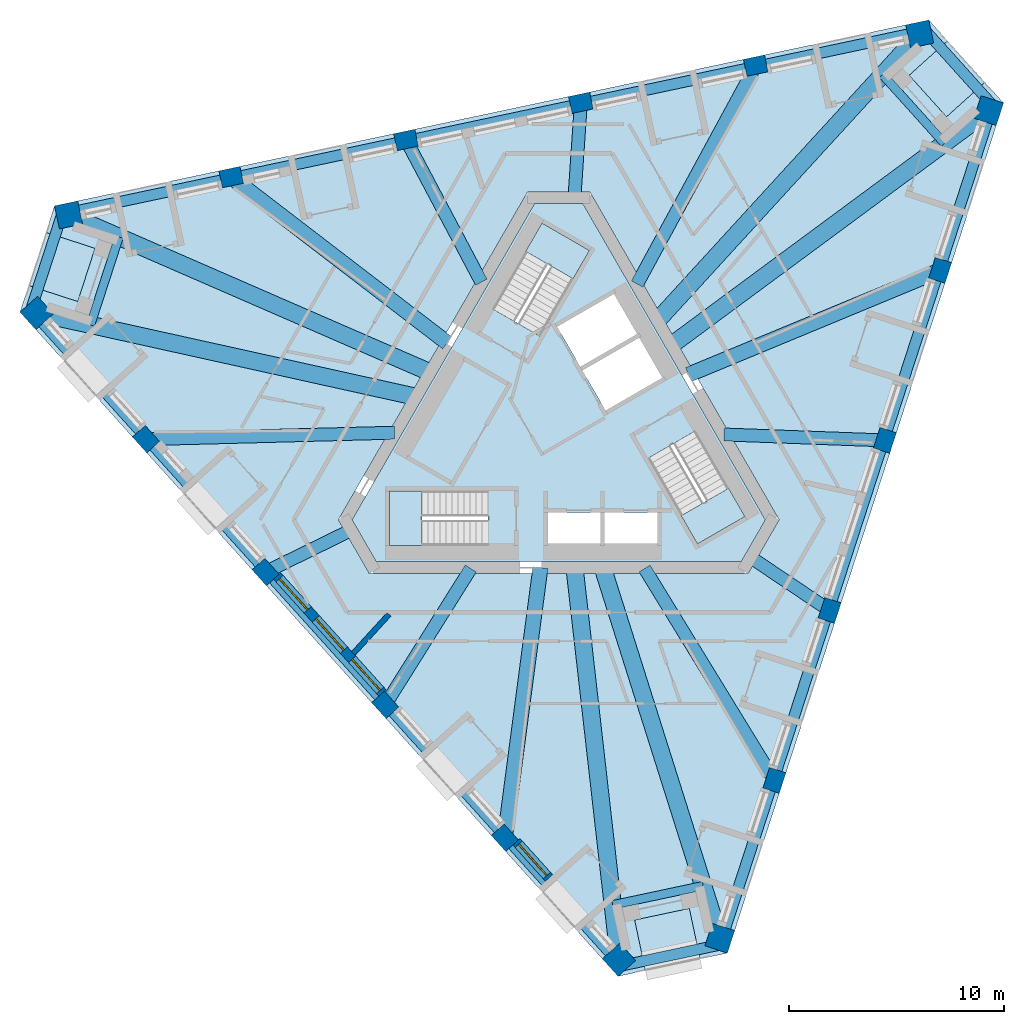
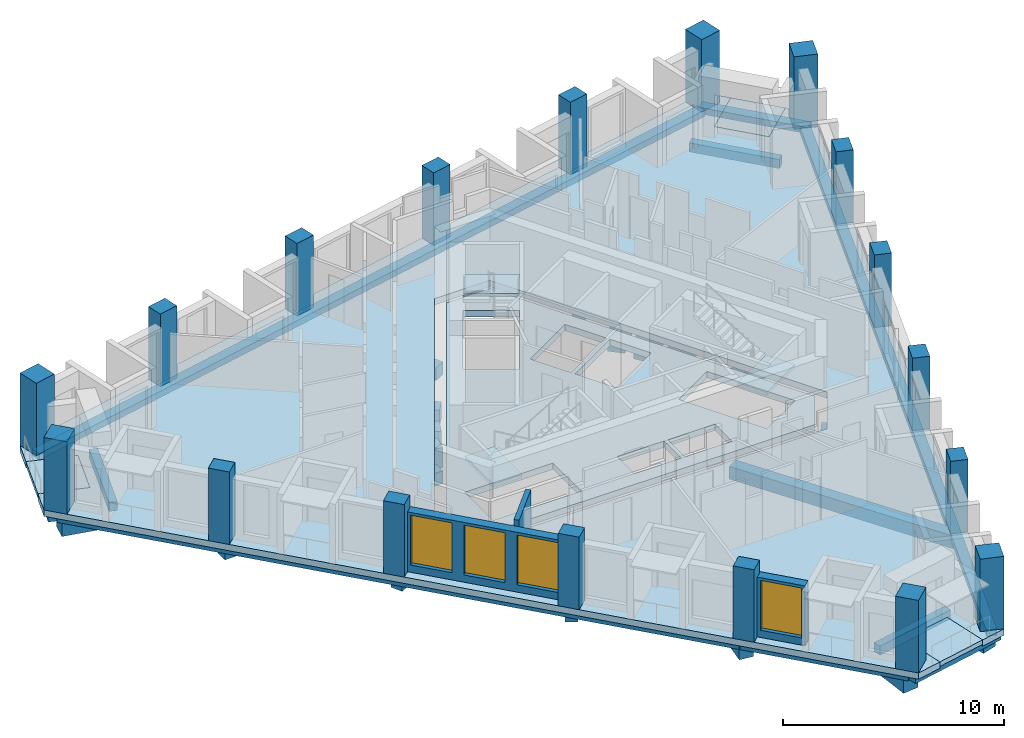
# One storey, part 1 of 13: 27 beams, 18 columns, 8 slabs, 4 windows, 3 walls, 4 openings, 3 elements without a shape of their own.
"""IFC4 building model written with IfcOpenShell, lengths in metres."""

import ifcopenshell
import ifcopenshell.guid

model = None  # the IFC model being written
_history = None  # IfcOwnerHistory: only IFC2X3 demands one
_inside = {}  # id of a spatial element -> (the spatial element, [elements in it])
_under = {}  # id of a project, library or spatial element -> (it, [spatial elements below it])
_declared = {}  # id of a project -> (the project, [libraries it declares])
_typed = {}  # id of a type object -> (the type object, [elements of that type])
_made_of = {}  # id of a material, layer set ... -> (it, [elements and type objects made of it])


def new_model(schema):
    """Start an empty IFC model of exactly this schema.

    Asked for "IFC4X3", IfcOpenShell would pick the latest addendum, in which some entities
    have other attributes; the version numbers below select the first issue.
    IFC2X3 requires an IfcOwnerHistory on every rooted entity: one is made here for all.
    """
    global model, _history
    if schema == "IFC4X3":
        model = ifcopenshell.file(schema_version=(4, 3, 0, 0))
    else:
        model = ifcopenshell.file(schema=schema)
    _inside.clear()
    _under.clear()
    _declared.clear()
    _typed.clear()
    _made_of.clear()
    _history = None
    if model.schema == "IFC2X3":
        org = make("IfcOrganization", Name="unknown")
        user = make(
            "IfcPersonAndOrganization",
            ThePerson=make("IfcPerson", FamilyName="unknown"),
            TheOrganization=org,
        )
        app = make(
            "IfcApplication",
            ApplicationDeveloper=org,
            Version="unknown",
            ApplicationFullName="unknown",
            ApplicationIdentifier="unknown",
        )
        _history = make(
            "IfcOwnerHistory",
            OwningUser=user,
            OwningApplication=app,
            ChangeAction="ADDED",
            CreationDate=0,
        )
    return model


def make(cls, **values):
    """One entity of the class cls with the attributes given. An attribute that is None is left unset."""
    return model.create_entity(
        cls, **{name: value for name, value in values.items() if value is not None}
    )


def rooted(cls, **values):
    """An entity with a GlobalId (a new one), such as an element, a storey or a relation."""
    return make(cls, GlobalId=ifcopenshell.guid.new(), OwnerHistory=_history, **values)


def si_unit(unit_type, name, prefix=None):
    """IfcSIUnit, for example si_unit("LENGTHUNIT", "METRE", prefix="MILLI")."""
    return make("IfcSIUnit", UnitType=unit_type, Prefix=prefix, Name=name)


def assignment(units):
    """IfcUnitAssignment: the units of a project."""
    return None if units is None else make("IfcUnitAssignment", Units=units)


def point(xyz):
    """IfcCartesianPoint."""
    return None if xyz is None else make("IfcCartesianPoint", Coordinates=xyz)


def direction(xyz):
    """IfcDirection."""
    return None if xyz is None else make("IfcDirection", DirectionRatios=xyz)


def frame(location, z_axis=None, x_axis=None):
    """IfcAxis2Placement3D, a coordinate frame: its origin and axes. An axis left out is left unset."""
    return make(
        "IfcAxis2Placement3D",
        Location=point(location),
        Axis=direction(z_axis),
        RefDirection=direction(x_axis),
    )


def frame_2d(location, x_axis=None):
    """IfcAxis2Placement2D, a coordinate frame in the plane: its origin and x axis."""
    return make(
        "IfcAxis2Placement2D", Location=point(location), RefDirection=direction(x_axis)
    )


def origin():
    """The frame at (0, 0, 0) with its axes left unset."""
    return frame((0.0, 0.0, 0.0))


def origin_2d():
    """The frame at (0, 0) in the plane with its x axis left unset."""
    return frame_2d((0.0, 0.0))


def place(relative_to, where):
    """IfcLocalPlacement: puts the frame where relative to a parent placement (None: the world)."""
    return make(
        "IfcLocalPlacement", PlacementRelTo=relative_to, RelativePlacement=where
    )


def context(
    kind, dimensions, precision=None, world=None, true_north=None, identifier=None
):
    """IfcGeometricRepresentationContext, for example the 3D "Model" context."""
    return make(
        "IfcGeometricRepresentationContext",
        ContextIdentifier=identifier,
        ContextType=kind,
        CoordinateSpaceDimension=dimensions,
        Precision=precision,
        WorldCoordinateSystem=world,
        TrueNorth=true_north,
    )


def subcontext(parent, identifier, kind, view, scale=None):
    """IfcGeometricRepresentationSubContext, for example "Body" below "Model"."""
    return make(
        "IfcGeometricRepresentationSubContext",
        ContextIdentifier=identifier,
        ContextType=kind,
        ParentContext=parent,
        TargetScale=scale,
        TargetView=view,
    )


def project(units=None, contexts=None):
    """IfcProject with its units and contexts."""
    return rooted(
        "IfcProject",
        Name="project",
        RepresentationContexts=contexts,
        UnitsInContext=assignment(units),
    )


def spatial(cls, under=None, at=None, **own):
    """A site, building, storey or space (cls), placed at a placement, below another one or the project."""
    s = rooted(cls, ObjectPlacement=at, **own)
    if under is not None:
        _under.setdefault(under.id(), (under, []))[1].append(s)
    return s


def polyline(points):
    """IfcPolyline through the points."""
    return make("IfcPolyline", Points=[point(p) for p in points])


def profile(cls, at=None, kind="AREA", **sizes):
    """A parametric profile (cls). Its sizes go by their IFC names, for example OverallWidth=200.0."""
    return make(cls, ProfileType=kind, Position=at, **sizes)


def rectangle(**sizes):
    """IfcRectangleProfileDef."""
    return profile("IfcRectangleProfileDef", **sizes)


def outline(outer, holes=None, kind="AREA"):
    """IfcArbitraryClosedProfileDef: a profile drawn as a closed curve; with holes, ...WithVoids."""
    if holes is None:
        return make("IfcArbitraryClosedProfileDef", ProfileType=kind, OuterCurve=outer)
    return make(
        "IfcArbitraryProfileDefWithVoids",
        ProfileType=kind,
        OuterCurve=outer,
        InnerCurves=holes,
    )


def extrude(swept, where, along, depth):
    """IfcExtrudedAreaSolid: the profile swept, set in the frame where, extruded along a direction by depth."""
    return make(
        "IfcExtrudedAreaSolid",
        SweptArea=swept,
        Position=where,
        ExtrudedDirection=direction(along),
        Depth=depth,
    )


def shape(context_of_items, identifier, shape_type, items):
    """IfcShapeRepresentation: the items that make up one representation, for example the "Body"."""
    return make(
        "IfcShapeRepresentation",
        ContextOfItems=context_of_items,
        RepresentationIdentifier=identifier,
        RepresentationType=shape_type,
        Items=items,
    )


def material(Name=None, Category=None):
    """IfcMaterial."""
    return make("IfcMaterial", Name=Name, Category=Category)


def layer(
    of_material, thickness, ventilated=None, Name=None, Category=None, Priority=None
):
    """IfcMaterialLayer: one layer of a wall or slab, of a material (None: an air gap)."""
    return make(
        "IfcMaterialLayer",
        Material=of_material,
        LayerThickness=thickness,
        IsVentilated=ventilated,
        Name=Name,
        Category=Category,
        Priority=Priority,
    )


def layer_set(layers, Name=None):
    """IfcMaterialLayerSet."""
    return make("IfcMaterialLayerSet", MaterialLayers=layers, LayerSetName=Name)


def material_profile(
    of_material, cross_section, Name=None, Category=None, Priority=None
):
    """IfcMaterialProfile: a cross section and its material."""
    return make(
        "IfcMaterialProfile",
        Name=Name,
        Material=of_material,
        Profile=cross_section,
        Priority=Priority,
        Category=Category,
    )


def profile_set(profiles, Name=None, composite=None):
    """IfcMaterialProfileSet."""
    return make(
        "IfcMaterialProfileSet",
        Name=Name,
        MaterialProfiles=profiles,
        CompositeProfile=composite,
    )


def made_of(thing, what):
    """Note that an element or type object is made of a material, layer set ...; save() writes the relation."""
    if what is not None:
        _made_of.setdefault(what.id(), (what, []))[1].append(thing)
    return thing


def type_object(cls, material=None, **own):
    """A type object (cls), such as IfcWallType, which elements share."""
    return made_of(rooted(cls, **own), material)


def element(
    cls,
    number,
    at=None,
    inside=None,
    cuts=None,
    type_object=None,
    material=None,
    context=None,
    identifier="Body",
    shape_type=None,
    held_by="IfcProductDefinitionShape",
    body=None,
    shapes=None,
    **own,
):
    """One element of the class cls, such as IfcWall. Its Tag is "e" and its number.

    at: its placement. inside: the storey or other place that contains it. cuts: it is an
    opening in that element (IfcRelVoidsElement). A single representation is given by context,
    identifier, shape_type and body (its items); several are given by shapes. held_by: the class
    of the entity that holds the representations. save() writes the other relations.
    """
    e = rooted(cls, Tag="e%d" % number, ObjectPlacement=at, **own)
    if body is not None:
        shapes = [shape(context, identifier, shape_type, body)]
    if shapes is not None:
        e.Representation = make(held_by, Representations=shapes)
    if inside is not None:
        _inside.setdefault(inside.id(), (inside, []))[1].append(e)
    if cuts is not None:
        rooted(
            "IfcRelVoidsElement", RelatingBuildingElement=cuts, RelatedOpeningElement=e
        )
    if type_object is not None:
        _typed.setdefault(type_object.id(), (type_object, []))[1].append(e)
    return made_of(e, material)


def fill(opening, filler):
    """IfcRelFillsElement: the door or window that sits in an opening."""
    return rooted(
        "IfcRelFillsElement",
        RelatingOpeningElement=opening,
        RelatedBuildingElement=filler,
    )


def aggregate(whole, parts):
    """IfcRelAggregates: a whole, such as a stair, and the parts it consists of."""
    return rooted("IfcRelAggregates", RelatingObject=whole, RelatedObjects=parts)


def save(model, path):
    """Write the relations noted so far, then the file.

    IfcRelAggregates (storeys below a building ...), IfcRelContainedInSpatialStructure (elements
    in a storey), IfcRelDefinesByType, IfcRelAssociatesMaterial and IfcRelDeclares: one each for
    every whole, place, type object, material and project.
    """
    for whole, parts in _under.values():
        aggregate(whole, parts)
    for where, things in _inside.values():
        rooted(
            "IfcRelContainedInSpatialStructure",
            RelatedElements=things,
            RelatingStructure=where,
        )
    for kind, things in _typed.values():
        rooted("IfcRelDefinesByType", RelatedObjects=things, RelatingType=kind)
    for what, things in _made_of.values():
        rooted("IfcRelAssociatesMaterial", RelatedObjects=things, RelatingMaterial=what)
    for by, libraries in _declared.values():
        rooted("IfcRelDeclares", RelatingContext=by, RelatedDefinitions=libraries)
    model.write(path)


model = new_model("IFC4")

# Units and contexts
model_context = context("Model", 3, precision=1e-05, world=origin(), true_north=direction((0.0, 1.0)))
body_context = subcontext(model_context, "Body", "Model", "MODEL_VIEW")
ifc_project = project(units=[si_unit("LENGTHUNIT", "METRE"), si_unit("AREAUNIT", "SQUARE_METRE"), si_unit("VOLUMEUNIT", "CUBIC_METRE"), si_unit("PLANEANGLEUNIT", "RADIAN"), si_unit("MASSUNIT", "GRAM", prefix="KILO")], contexts=[model_context])

# Site, building, storey
site_placement = place(None, origin())
site = spatial("IfcSite", under=ifc_project, at=site_placement, CompositionType="ELEMENT")
building_placement = place(site_placement, origin())
building = spatial("IfcBuilding", under=site, at=building_placement, Name="Tramontana Tower", CompositionType="ELEMENT")
storey_placement = place(building_placement, frame((0.0, 0.0, 324.39990234375)))
storey = spatial("IfcBuildingStorey", under=building, at=storey_placement, Name="L74", CompositionType="ELEMENT", Elevation=324.39990234375)

# Columns
ifc_material_1 = material(Name="Concrete 55 MPa", Category="concrete")
ifc_material_profile_1 = material_profile(ifc_material_1, rectangle(XDim=1.10009765625, YDim=1.10009765625, at=origin_2d()), Name="Mega column 1100X1100 55 MPa")
ifc_profile_set_1 = profile_set([ifc_material_profile_1], Name="Concrete 55 MPa")
column_type_1 = type_object("IfcColumnType", Name="Mega column 1100X1100 55 MPa", PredefinedType="COLUMN", material=ifc_profile_set_1)
for number, where, z_axis, x_axis, name in (
    (1, (-24.278076171875, 5.368408203125, 0.0), (0.0, 0.0, 1.0), (0.669130606359, -0.743144825477, 0.0), "Mega column C8K1 L74"),
    (2, (2.80126953125, -24.706298828125, 0.0), (0.0, 0.0, 1.0), (0.669130606359, -0.743144825477, 0.0), "Mega column C8K2 L74"),
    (3, (7.489990234375, -23.70947265625, 0.0), (0.0, 0.0, 1.0), (0.309016994375, 0.951056516295, 0.0), "Mega column C8K3 L74"),
    (4, (19.99560546875, 14.779052734375, 0.0), (0.0, 0.0, 1.0), (0.309016994375, 0.951056516295, 0.0), "Mega column C8K4 L74"),
    (5, (16.7880859375, 18.34130859375, 0.0), (0.0, 0.0, 1.0), (-0.978147600734, -0.207911690818, 0.0), "Mega column C8K5 L74"),
    (6, (-22.796875, 9.92724609375, 0.0), (0.0, 0.0, 1.0), (-0.978147600734, -0.207911690818, 0.0), "Mega column C8K6 L74"),
):
    element("IfcColumn", number, at=place(storey_placement, frame(where, z_axis=z_axis, x_axis=x_axis)), inside=storey, type_object=column_type_1, Name=name, PredefinedType="COLUMN", context=body_context, shape_type="SweptSolid", body=[
        extrude(rectangle(XDim=1.10009765625, YDim=1.10009765625, at=origin_2d()), origin(), (0.0, 0.0, 1.0), 4.0),
    ])
ifc_material_2 = material(Name="Concrete 55 MPa", Category="concrete")
ifc_material_profile_2 = material_profile(ifc_material_2, rectangle(XDim=1.0, YDim=0.800048828125, at=origin_2d()), Name="Pier column 1000X800 55 MPa")
ifc_profile_set_2 = profile_set([ifc_material_profile_2], Name="Concrete 55 MPa")
column_type_2 = type_object("IfcColumnType", Name="Pier column 1000X800 55 MPa", PredefinedType="COLUMN", material=ifc_profile_set_2)
for number, where, z_axis, x_axis, name in (
    (7, (-19.194580078125, -0.501708984375, 0.0), (0.0, 0.0, 1.0), (0.669130606359, -0.743144825477, 0.0), "Pier column C8F01 L74"),
    (8, (-13.63134765625, -6.68017578125, 0.0), (0.0, 0.0, 1.0), (0.669130606359, -0.743144825477, 0.0), "Pier column C8F02 L74"),
    (9, (-8.068359375, -12.8583984375, 0.0), (0.0, 0.0, 1.0), (0.669130606359, -0.743144825477, 0.0), "Pier column C8F03 L74"),
    (10, (-2.50537109375, -19.036865234375, 0.0), (0.0, 0.0, 1.0), (0.669130606359, -0.743144825477, 0.0), "Pier column C8F04 L74"),
    (11, (10.03173828125, -16.3720703125, 0.0), (0.0, 0.0, 1.0), (0.309016994375, 0.951056516295, 0.0), "Pier column C8F05 L74"),
    (12, (12.600830078125, -8.465087890625, 0.0), (0.0, 0.0, 1.0), (0.309016994375, 0.951056516295, 0.0), "Pier column C8F06 L74"),
    (13, (15.169921875, -0.55810546875, 0.0), (0.0, 0.0, 1.0), (0.309016994375, 0.951056516295, 0.0), "Pier column C8F07 L74"),
    (14, (17.739013671875, 7.348876953125, 0.0), (0.0, 0.0, 1.0), (0.309016994375, 0.951056516295, 0.0), "Pier column C8F08 L74"),
    (15, (9.162841796875, 16.873779296875, 0.0), (0.0, 0.0, 1.0), (-0.978147600734, -0.207911690818, 0.0), "Pier column C8F09 L74"),
    (16, (1.030517578125, 15.145263671875, 0.0), (0.0, 0.0, 1.0), (-0.978147600734, -0.207911690818, 0.0), "Pier column C8F10 L74"),
    (17, (-7.1015625, 13.416748046875, 0.0), (0.0, 0.0, 1.0), (-0.978147600734, -0.207911690818, 0.0), "Pier column C8F11 L74"),
    (18, (-15.233642578125, 11.688232421875, 0.0), (0.0, 0.0, 1.0), (-0.978147600734, -0.207911690818, 0.0), "Pier column C8F12 L74"),
):
    element("IfcColumn", number, at=place(storey_placement, frame(where, z_axis=z_axis, x_axis=x_axis)), inside=storey, type_object=column_type_2, Name=name, PredefinedType="COLUMN", context=body_context, shape_type="SweptSolid", body=[
        extrude(rectangle(XDim=1.0, YDim=0.800048828125, at=origin_2d()), origin(), (0.0, 0.0, 1.0), 4.0),
    ])

# Beams
ifc_material_3 = material(Name="Concrete 40 MPa", Category="concrete")
ifc_material_profile_3 = material_profile(ifc_material_3, rectangle(XDim=0.5, YDim=0.35009765625, at=origin_2d()), Name="RC EDGE BEAM 500X350 40 MPa")
ifc_profile_set_3 = profile_set([ifc_material_profile_3], Name="Concrete 40 MPa")
beam_type_1 = type_object("IfcBeamType", Name="RC EDGE BEAM 500X350 40 MPa", PredefinedType="SPANDREL", material=ifc_profile_set_3)
for number, where, z_axis, x_axis, name in (
    (19, (-24.352294921875, 5.301513671875, -0.52490234375), (0.669126699639, -0.743148343086, 0.0), (0.743148343086, 0.669126699639, 0.0), "Spandrel beam S0 L74"),
    (20, (7.5849609375, -23.740478515625, -0.52490234375), (0.309021003975, 0.951055213488, 0.0), (-0.951055213488, 0.309021003975, 0.0), "Spandrel beam S1 L74"),
):
    element("IfcBeam", number, at=place(storey_placement, frame(where, z_axis=z_axis, x_axis=x_axis)), inside=storey, type_object=beam_type_1, Name=name, PredefinedType="SPANDREL", context=body_context, shape_type="SweptSolid", body=[
        extrude(rectangle(XDim=0.5, YDim=0.35009765625, at=origin_2d()), origin(), (0.0, 0.0, 1.0), 40.46923828125),
    ])
beam_1_placement = place(storey_placement, frame((16.767333984375, 18.439208984375, -0.52490234375), z_axis=(-0.978146276815, -0.20791791927, 0.0), x_axis=(0.20791791927, -0.978146276815, 0.0)))
element("IfcBeam", 21, at=beam_1_placement, inside=storey, type_object=beam_type_1, Name="Spandrel beam S2 L74", PredefinedType="SPANDREL", context=body_context, shape_type="SweptSolid", body=[
    extrude(rectangle(XDim=0.5, YDim=0.35009765625, at=origin_2d()), origin(), (0.0, 0.0, 1.0), 40.469482421875),
])
beam_2_placement = place(storey_placement, frame((-23.02099609375, 10.2119140625, -0.52490234375), z_axis=(-0.309015953557, -0.951056854477, 0.0), x_axis=(0.951056854477, -0.309015953557, 0.0)))
element("IfcBeam", 22, at=beam_2_placement, inside=storey, type_object=beam_type_1, Name="Spandrel beam K0 L74", PredefinedType="SPANDREL", context=body_context, shape_type="SweptSolid", body=[
    extrude(rectangle(XDim=0.5, YDim=0.35009765625, at=origin_2d()), origin(), (0.0, 0.0, 1.0), 5.1962890625),
])
for number, where, z_axis, x_axis, name in (
    (23, (2.6669921875, -25.042724609375, -0.52490234375), (0.97814762463, 0.207911578393, 0.0), (-0.207911578393, 0.97814762463, 0.0), "Spandrel beam K1 L74"),
    (24, (20.354248046875, 14.8310546875, -0.52490234375), (-0.66916199362, 0.74311656306, 0.0), (-0.74311656306, -0.66916199362, 0.0), "Spandrel beam K2 L74"),
):
    element("IfcBeam", number, at=place(storey_placement, frame(where, z_axis=z_axis, x_axis=x_axis)), inside=storey, type_object=beam_type_1, Name=name, PredefinedType="SPANDREL", context=body_context, shape_type="SweptSolid", body=[
        extrude(rectangle(XDim=0.5, YDim=0.35009765625, at=origin_2d()), origin(), (0.0, 0.0, 1.0), 5.196044921875),
    ])
ifc_material_4 = material(Name="Concrete 40 MPa", Category="concrete")
ifc_material_profile_4 = material_profile(ifc_material_4, rectangle(XDim=0.60009765625, YDim=0.699951171875, at=origin_2d()), Name="RC GIRDER 600X700 40 MPa")
ifc_profile_set_4 = profile_set([ifc_material_profile_4], Name="Concrete 40 MPa")
beam_type_2 = type_object("IfcBeamType", Name="RC GIRDER 600X700 40 MPa", PredefinedType="BEAM", material=ifc_profile_set_4)
beam_3_placement = place(storey_placement, frame((-19.194580078125, -0.501708984375, -0.699951171875), z_axis=(0.999658682192, 0.026125066864, 0.0), x_axis=(-0.026125066864, 0.999658682192, 0.0)))
element("IfcBeam", 25, at=beam_3_placement, inside=storey, type_object=beam_type_2, Name="Radial girder C8F01 L74", PredefinedType="BEAM", context=body_context, shape_type="SweptSolid", body=[
    extrude(rectangle(XDim=0.60009765625, YDim=0.699951171875, at=origin_2d()), origin(), (0.0, 0.0, 1.0), 11.559814453125),
])
beam_4_placement = place(storey_placement, frame((-13.63134765625, -6.68017578125, -0.699951171875), z_axis=(0.897959158445, 0.440078799496, 0.0), x_axis=(-0.440078799496, 0.897959158445, 0.0)))
element("IfcBeam", 26, at=beam_4_placement, inside=storey, type_object=beam_type_2, Name="Radial girder C8F02 L74", PredefinedType="BEAM", context=body_context, shape_type="SweptSolid", body=[
    extrude(rectangle(XDim=0.60009765625, YDim=0.699951171875, at=origin_2d()), origin(), (0.0, 0.0, 1.0), 4.4296875),
])
beam_5_placement = place(storey_placement, frame((-8.068359375, -12.8583984375, -0.699951171875), z_axis=(0.531504835363, 0.847055257929, 0.0), x_axis=(-0.847055257929, 0.531504835363, 0.0)))
element("IfcBeam", 27, at=beam_5_placement, inside=storey, type_object=beam_type_2, Name="Radial girder C8F03 L74", PredefinedType="BEAM", context=body_context, shape_type="SweptSolid", body=[
    extrude(rectangle(XDim=0.60009765625, YDim=0.699951171875, at=origin_2d()), origin(), (0.0, 0.0, 1.0), 7.486328125),
])
beam_6_placement = place(storey_placement, frame((10.03173828125, -16.3720703125, -0.699951171875), z_axis=(-0.522458548495, 0.852664685034, 0.0), x_axis=(-0.852664685034, -0.522458548495, 0.0)))
element("IfcBeam", 28, at=beam_6_placement, inside=storey, type_object=beam_type_2, Name="Radial girder C8F05 L74", PredefinedType="BEAM", context=body_context, shape_type="SweptSolid", body=[
    extrude(rectangle(XDim=0.60009765625, YDim=0.699951171875, at=origin_2d()), origin(), (0.0, 0.0, 1.0), 11.559814453125),
])
beam_7_placement = place(storey_placement, frame((12.600830078125, -8.465087890625, -0.699951171875), z_axis=(-0.830077902204, 0.557647448011, 0.0), x_axis=(-0.557647448011, -0.830077902204, 0.0)))
element("IfcBeam", 29, at=beam_7_placement, inside=storey, type_object=beam_type_2, Name="Radial girder C8F06 L74", PredefinedType="BEAM", context=body_context, shape_type="SweptSolid", body=[
    extrude(rectangle(XDim=0.60009765625, YDim=0.699951171875, at=origin_2d()), origin(), (0.0, 0.0, 1.0), 4.4296875),
])
beam_8_placement = place(storey_placement, frame((15.169921875, -0.55810546875, -0.699951171875), z_axis=(-0.999324360611, 0.036753534393, 0.0), x_axis=(-0.036753534393, -0.999324360611, 0.0)))
element("IfcBeam", 30, at=beam_8_placement, inside=storey, type_object=beam_type_2, Name="Radial girder C8F07 L74", PredefinedType="BEAM", context=body_context, shape_type="SweptSolid", body=[
    extrude(rectangle(XDim=0.60009765625, YDim=0.699951171875, at=origin_2d()), origin(), (0.0, 0.0, 1.0), 7.486328125),
])
beam_9_placement = place(storey_placement, frame((9.16259765625, 16.873779296875, -0.699951171875), z_axis=(-0.477185075818, -0.87880282397, 0.0), x_axis=(0.87880282397, -0.477185075818, 0.0)))
element("IfcBeam", 31, at=beam_9_placement, inside=storey, type_object=beam_type_2, Name="Radial girder C8F09 L74", PredefinedType="BEAM", context=body_context, shape_type="SweptSolid", body=[
    extrude(rectangle(XDim=0.60009765625, YDim=0.699951171875, at=origin_2d()), origin(), (0.0, 0.0, 1.0), 11.559814453125),
])
beam_10_placement = place(storey_placement, frame((1.030517578125, 15.145263671875, -0.699951171875), z_axis=(-0.067897965918, -0.997692270304, 0.0), x_axis=(0.997692270304, -0.067897965918, 0.0)))
element("IfcBeam", 32, at=beam_10_placement, inside=storey, type_object=beam_type_2, Name="Radial girder C8F10 L74", PredefinedType="BEAM", context=body_context, shape_type="SweptSolid", body=[
    extrude(rectangle(XDim=0.60009765625, YDim=0.699951171875, at=origin_2d()), origin(), (0.0, 0.0, 1.0), 4.429931640625),
])
beam_11_placement = place(storey_placement, frame((-7.1015625, 13.416748046875, -0.699951171875), z_axis=(0.467808305742, -0.883829954843, 0.0), x_axis=(0.883829954843, 0.467808305742, 0.0)))
element("IfcBeam", 33, at=beam_11_placement, inside=storey, type_object=beam_type_2, Name="Radial girder C8F11 L74", PredefinedType="BEAM", context=body_context, shape_type="SweptSolid", body=[
    extrude(rectangle(XDim=0.60009765625, YDim=0.699951171875, at=origin_2d()), origin(), (0.0, 0.0, 1.0), 7.486328125),
])
ifc_material_5 = material(Name="Concrete 40 MPa", Category="concrete")
ifc_material_profile_5 = material_profile(ifc_material_5, rectangle(XDim=0.699951171875, YDim=0.89990234375, at=origin_2d()), Name="RC GIRDER 700X900 40 MPa")
ifc_profile_set_5 = profile_set([ifc_material_profile_5], Name="Concrete 40 MPa")
beam_type_3 = type_object("IfcBeamType", Name="RC GIRDER 700X900 40 MPa", PredefinedType="BEAM", material=ifc_profile_set_5)
beam_12_placement = place(storey_placement, frame((-2.50537109375, -19.036865234375, -0.7998046875), z_axis=(0.130493398369, 0.991449178214, 0.0), x_axis=(-0.991449178214, 0.130493398369, 0.0)))
element("IfcBeam", 34, at=beam_12_placement, inside=storey, type_object=beam_type_3, Name="Radial girder C8F04 L74", PredefinedType="BEAM", context=body_context, shape_type="SweptSolid", body=[
    extrude(rectangle(XDim=0.699951171875, YDim=0.89990234375, at=origin_2d()), origin(), (0.0, 0.0, 1.0), 12.66796875),
])
beam_13_placement = place(storey_placement, frame((17.739013671875, 7.348876953125, -0.7998046875), z_axis=(-0.923857326556, -0.382737037885, 0.0), x_axis=(0.382737037885, -0.923857326556, 0.0)))
element("IfcBeam", 35, at=beam_13_placement, inside=storey, type_object=beam_type_3, Name="Radial girder C8F08 L74", PredefinedType="BEAM", context=body_context, shape_type="SweptSolid", body=[
    extrude(rectangle(XDim=0.699951171875, YDim=0.89990234375, at=origin_2d()), origin(), (0.0, 0.0, 1.0), 12.667724609375),
])
beam_14_placement = place(storey_placement, frame((-15.23388671875, 11.68798828125, -0.7998046875), z_axis=(0.793386383047, -0.608718364431, 0.0), x_axis=(0.608718364431, 0.793386383047, 0.0)))
element("IfcBeam", 36, at=beam_14_placement, inside=storey, type_object=beam_type_3, Name="Radial girder C8F12 L74", PredefinedType="BEAM", context=body_context, shape_type="SweptSolid", body=[
    extrude(rectangle(XDim=0.699951171875, YDim=0.89990234375, at=origin_2d()), origin(), (0.0, 0.0, 1.0), 12.66796875),
])
ifc_material_6 = material(Name="Concrete 40 MPa", Category="concrete")
ifc_material_profile_6 = material_profile(ifc_material_6, rectangle(XDim=0.800048828125, YDim=1.10009765625, at=origin_2d()), Name="RC GIRDER 800X1100 40 MPa")
ifc_profile_set_6 = profile_set([ifc_material_profile_6], Name="Concrete 40 MPa")
beam_type_4 = type_object("IfcBeamType", Name="RC GIRDER 800X1100 40 MPa", PredefinedType="BEAM", material=ifc_profile_set_6)
beam_15_placement = place(storey_placement, frame((-24.278076171875, 5.368408203125, -0.89990234375), z_axis=(0.976414256624, -0.215905533653, 0.0), x_axis=(0.215905533653, 0.976414256624, 0.0)))
element("IfcBeam", 37, at=beam_15_placement, inside=storey, type_object=beam_type_4, Name="Radial girder C8K1 L74", PredefinedType="BEAM", context=body_context, shape_type="SweptSolid", body=[
    extrude(rectangle(XDim=0.800048828125, YDim=1.10009765625, at=origin_2d()), origin(), (0.0, 0.0, 1.0), 18.060791015625),
])
beam_16_placement = place(storey_placement, frame((2.80126953125, -24.706298828125, -0.89990234375), z_axis=(-0.112660068087, 0.993633588934, 0.0), x_axis=(-0.993633588934, -0.112660068087, 0.0)))
element("IfcBeam", 38, at=beam_16_placement, inside=storey, type_object=beam_type_4, Name="Radial girder C8K2 L74", PredefinedType="BEAM", context=body_context, shape_type="SweptSolid", body=[
    extrude(rectangle(XDim=0.800048828125, YDim=1.10009765625, at=origin_2d()), origin(), (0.0, 0.0, 1.0), 18.34619140625),
])
beam_17_placement = place(storey_placement, frame((7.489990234375, -23.709716796875, -0.89990234375), z_axis=(-0.301228407795, 0.953552015538, 0.0), x_axis=(-0.953552015538, -0.301228407795, 0.0)))
element("IfcBeam", 39, at=beam_17_placement, inside=storey, type_object=beam_type_4, Name="Radial girder C8K3 L74", PredefinedType="BEAM", context=body_context, shape_type="SweptSolid", body=[
    extrude(rectangle(XDim=0.800048828125, YDim=1.10009765625, at=origin_2d()), origin(), (0.0, 0.0, 1.0), 18.060791015625),
])
beam_18_placement = place(storey_placement, frame((19.99560546875, 14.779052734375, -0.89990234375), z_axis=(-0.804178630494, -0.594387693562, 0.0), x_axis=(0.594387693562, -0.804178630494, 0.0)))
element("IfcBeam", 40, at=beam_18_placement, inside=storey, type_object=beam_type_4, Name="Radial girder C8K4 L74", PredefinedType="BEAM", context=body_context, shape_type="SweptSolid", body=[
    extrude(rectangle(XDim=0.800048828125, YDim=1.10009765625, at=origin_2d()), origin(), (0.0, 0.0, 1.0), 18.34619140625),
])
beam_19_placement = place(storey_placement, frame((16.7880859375, 18.34130859375, -0.89990234375), z_axis=(-0.675183941423, -0.737649405371, 0.0), x_axis=(0.737649405371, -0.675183941423, 0.0)))
element("IfcBeam", 41, at=beam_19_placement, inside=storey, type_object=beam_type_4, Name="Radial girder C8K5 L74", PredefinedType="BEAM", context=body_context, shape_type="SweptSolid", body=[
    extrude(rectangle(XDim=0.800048828125, YDim=1.10009765625, at=origin_2d()), origin(), (0.0, 0.0, 1.0), 18.060791015625),
])
beam_20_placement = place(storey_placement, frame((-22.796875, 9.92724609375, -0.89990234375), z_axis=(0.916837391717, -0.399260813441, 0.0), x_axis=(0.399260813441, 0.916837391717, 0.0)))
element("IfcBeam", 42, at=beam_20_placement, inside=storey, type_object=beam_type_4, Name="Radial girder C8K6 L74", PredefinedType="BEAM", context=body_context, shape_type="SweptSolid", body=[
    extrude(rectangle(XDim=0.800048828125, YDim=1.10009765625, at=origin_2d()), origin(), (0.0, 0.0, 1.0), 18.34619140625),
])
ifc_material_7 = material(Name="Concrete 40 MPa", Category="concrete")
ifc_material_profile_7 = material_profile(ifc_material_7, rectangle(XDim=0.39990234375, YDim=0.5, at=origin_2d()), Name="RC TRIM BEAM 400X500 40 MPa")
ifc_profile_set_7 = profile_set([ifc_material_profile_7], Name="Concrete 40 MPa")
beam_type_5 = type_object("IfcBeamType", Name="RC TRIM BEAM 400X500 40 MPa", PredefinedType="JOIST", material=ifc_profile_set_7)
for number, where, z_axis, x_axis, name in (
    (43, (-20.44921875, 8.90478515625, -0.599853515625), (-0.308996198876, -0.951063272911, 0.0), (0.951063272911, -0.308996198876, 0.0), "Trimmer beam K0 L74"),
    (44, (2.5126953125, -22.161865234375, -0.599853515625), (0.978144273721, 0.207927342565, 0.0), (-0.207927342565, 0.978144273721, 0.0), "Trimmer beam K1 L74"),
    (45, (17.936279296875, 13.257080078125, -0.599853515625), (-0.669146657008, 0.743130373094, 0.0), (-0.743130373094, -0.669146657008, 0.0), "Trimmer beam K2 L74"),
):
    element("IfcBeam", number, at=place(storey_placement, frame(where, z_axis=z_axis, x_axis=x_axis)), inside=storey, type_object=beam_type_5, Name=name, PredefinedType="JOIST", context=body_context, shape_type="SweptSolid", body=[
        extrude(rectangle(XDim=0.39990234375, YDim=0.5, at=origin_2d()), origin(), (0.0, 0.0, 1.0), 4.2998046875),
    ])

# Slabs
ifc_material_8 = material(Name="Precast concrete 50 MPa", Category="concrete")
ifc_layer_1 = layer(ifc_material_8, 0.25)
ifc_layer_set_1 = layer_set([ifc_layer_1], Name="LT1 Loggia floor tray 250")
slab_type_1 = type_object("IfcSlabType", Name="LT1 Loggia floor tray 250", PredefinedType="FLOOR", material=ifc_layer_set_1)
slab_1_placement = place(storey_placement, frame((0.0, 0.0, -0.25)))
element("IfcSlab", 46, at=slab_1_placement, inside=storey, type_object=slab_type_1, Name="Corner loggia floor L74 K80", PredefinedType="FLOOR", context=body_context, shape_type="SweptSolid", body=[
    extrude(outline(polyline([(-23.85009765625, 9.1162109375), (-21.567626953125, 8.374755859375), (-22.37109375, 5.90185546875), (-24.653564453125, 6.6435546875), (-23.85009765625, 9.1162109375)])), origin(), (0.0, 0.0, 1.0), 0.25),
])
slab_2_placement = place(storey_placement, frame((0.0, 0.0, -0.25)))
element("IfcSlab", 47, at=slab_2_placement, inside=storey, type_object=slab_type_1, Name="Corner loggia floor L74 K81", PredefinedType="FLOOR", context=body_context, shape_type="SweptSolid", body=[
    extrude(outline(polyline([(4.0302734375, -25.213134765625), (3.53125, -22.865478515625), (6.074462890625, -22.324951171875), (6.5732421875, -24.67236328125), (4.0302734375, -25.213134765625)])), origin(), (0.0, 0.0, 1.0), 0.25),
])
slab_3_placement = place(storey_placement, frame((0.0, 0.0, -0.25)))
element("IfcSlab", 48, at=slab_3_placement, inside=storey, type_object=slab_type_1, Name="Corner loggia floor L74 K82", PredefinedType="FLOOR", context=body_context, shape_type="SweptSolid", body=[
    extrude(outline(polyline([(19.820068359375, 16.0966796875), (18.03662109375, 14.49072265625), (16.296875, 16.423095703125), (18.080322265625, 18.02880859375), (19.820068359375, 16.0966796875)])), origin(), (0.0, 0.0, 1.0), 0.25),
])
ifc_material_9 = material(Name="Concrete 40 MPa", Category="concrete")
ifc_layer_2 = layer(ifc_material_9, 0.35009765625)
ifc_layer_set_2 = layer_set([ifc_layer_2], Name="PT FLAT SLAB 350 40 MPa")
slab_type_2 = type_object("IfcSlabType", Name="PT FLAT SLAB 350 40 MPa", PredefinedType="FLOOR", material=ifc_layer_set_2)
slab_4_placement = place(storey_placement, frame((0.0, 0.0, -0.349853515625)))
element("IfcSlab", 49, at=slab_4_placement, inside=storey, type_object=slab_type_2, Name="Floor slab L74", PredefinedType="FLOOR", context=body_context, shape_type="SweptSolid", body=[
    extrude(outline(polyline([(18.080322265625, 18.02880859375), (16.296875, 16.423095703125), (18.03662109375, 14.49072265625), (19.820068359375, 16.0966796875), (20.688720703125, 15.132080078125), (7.843017578125, -24.402587890625), (6.5732421875, -24.672607421875), (6.074462890625, -22.324951171875), (3.53125, -22.865478515625), (4.0302734375, -25.212890625), (2.760498046875, -25.48291015625), (-25.0546875, 5.408935546875), (-24.65380859375, 6.6435546875), (-22.37109375, 5.90185546875), (-21.567626953125, 8.374755859375), (-23.85009765625, 9.1162109375), (-23.44921875, 10.350830078125), (17.211669921875, 18.99365234375), (18.080322265625, 18.02880859375)]), holes=[polyline([(-10.248046875, -4.25), (-8.8046875, -6.75), (8.8046875, -6.75), (10.248046875, -4.25), (1.443359375, 11.0), (-1.443359375, 11.0), (-10.248046875, -4.25)])]), origin(), (0.0, 0.0, 1.0), 0.349853515625),
])
slab_5_placement = place(storey_placement, frame((0.0, 0.0, -0.349853515625)))
element("IfcSlab", 50, at=slab_5_placement, inside=storey, type_object=slab_type_2, Name="Core floor slab L74", PredefinedType="FLOOR", context=body_context, shape_type="SweptSolid", body=[
    extrude(outline(polyline([(9.61279296875, -4.25), (8.487060546875, -6.199951171875), (-8.487060546875, -6.199951171875), (-9.61279296875, -4.25), (-1.125732421875, 10.449951171875), (1.125732421875, 10.449951171875), (9.61279296875, -4.25)]), holes=[polyline([(8.659912109375, -4.099365234375), (6.35986328125, -0.115478515625), (4.151611328125, -1.390625), (6.451416015625, -5.374267578125), (8.659912109375, -4.099365234375)]), polyline([(3.829833984375, 4.2666015625), (1.101806640625, 2.69140625), (2.177001953125, 0.82958984375), (4.90478515625, 2.404541015625), (3.829833984375, 4.2666015625)]), polyline([(4.590087890625, -3.89990234375), (2.139892578125, -3.89990234375), (2.139892578125, -5.449951171875), (4.590087890625, -5.449951171875), (4.590087890625, -3.89990234375)]), polyline([(2.65478515625, 6.3017578125), (-0.072998046875, 4.726806640625), (1.001953125, 2.86474609375), (3.729736328125, 4.439697265625), (2.65478515625, 6.3017578125)]), polyline([(1.93994140625, -5.449951171875), (1.93994140625, -3.89990234375), (-0.510009765625, -3.89990234375), (-0.510009765625, -5.449951171875), (1.93994140625, -5.449951171875)]), polyline([(-0.77978515625, 9.54931640625), (-3.079833984375, 5.565673828125), (-0.87158203125, 4.29052734375), (1.428466796875, 8.2744140625), (-0.77978515625, 9.54931640625)]), polyline([(-7.8798828125, -5.449951171875), (-3.280029296875, -5.449951171875), (-3.280029296875, -2.89990234375), (-7.8798828125, -2.89990234375), (-7.8798828125, -5.449951171875)])]), origin(), (0.0, 0.0, 1.0), 0.349853515625),
])

# Stair, slab
ifc_material_10 = material(Name="Concrete 40 MPa", Category="concrete")
stair_type = type_object("IfcStairType", Name="EXIT STAIR 24 RISERS", PredefinedType="HALF_TURN_STAIR", material=ifc_material_10)
stair_1_placement = place(storey_placement, origin())
stair_1 = element("IfcStair", 51, at=stair_1_placement, inside=storey, type_object=stair_type, Name="L74 Exit stair ST1", PredefinedType="HALF_TURN_STAIR")
ifc_material_11 = material(Name="Concrete 40 MPa", Category="concrete")
ifc_layer_3 = layer(ifc_material_11, 0.199951171875)
ifc_layer_set_3 = layer_set([ifc_layer_3], Name="STAIR LANDING 200")
slab_type_3 = type_object("IfcSlabType", Name="STAIR LANDING 200", PredefinedType="LANDING", material=ifc_layer_set_3)
slab_6_placement = place(storey_placement, frame((0.0, 0.0, 1.800048828125)))
slab_6 = element("IfcSlab", 52, at=slab_6_placement, type_object=slab_type_3, Name="ST1 landing 1", PredefinedType="LANDING", context=body_context, shape_type="SweptSolid", body=[
    extrude(outline(polyline([(0.66845703125, 6.9580078125), (1.428466796875, 8.274169921875), (-0.77978515625, 9.54931640625), (-1.539794921875, 8.23291015625), (0.66845703125, 6.9580078125)])), origin(), (0.0, 0.0, 1.0), 0.199951171875),
])
aggregate(stair_1, [slab_6])

stair_2_placement = place(storey_placement, origin())
stair_2 = element("IfcStair", 53, at=stair_2_placement, inside=storey, type_object=stair_type, Name="L74 Exit stair ST2", PredefinedType="HALF_TURN_STAIR")
slab_7_placement = place(storey_placement, frame((0.0, 0.0, 1.800048828125)))
slab_7 = element("IfcSlab", 54, at=slab_7_placement, type_object=slab_type_3, Name="ST2 landing 1", PredefinedType="LANDING", context=body_context, shape_type="SweptSolid", body=[
    extrude(outline(polyline([(-6.360107421875, -2.89990234375), (-7.8798828125, -2.89990234375), (-7.8798828125, -5.449951171875), (-6.360107421875, -5.449951171875), (-6.360107421875, -2.89990234375)])), origin(), (0.0, 0.0, 1.0), 0.199951171875),
])
aggregate(stair_2, [slab_7])

stair_3_placement = place(storey_placement, origin())
stair_3 = element("IfcStair", 55, at=stair_3_placement, inside=storey, type_object=stair_type, Name="L74 Exit stair ST3", PredefinedType="HALF_TURN_STAIR")
slab_8_placement = place(storey_placement, frame((0.0, 0.0, 1.800048828125)))
slab_8 = element("IfcSlab", 56, at=slab_8_placement, type_object=slab_type_3, Name="ST3 landing 1", PredefinedType="LANDING", context=body_context, shape_type="SweptSolid", body=[
    extrude(outline(polyline([(5.69140625, -4.057861328125), (6.451416015625, -5.374267578125), (8.659912109375, -4.099365234375), (7.89990234375, -2.782958984375), (5.69140625, -4.057861328125)])), origin(), (0.0, 0.0, 1.0), 0.199951171875),
])
aggregate(stair_3, [slab_8])

# Wall, openings, windows
ifc_material_12 = material(Name="Precast concrete 60 MPa", Category="concrete")
ifc_layer_4 = layer(ifc_material_12, 0.449951171875)
ifc_layer_set_4 = layer_set([ifc_layer_4], Name="Precast concrete 60 MPa, 450 mm")
wall_type_1 = type_object("IfcWallType", Name="EW1 Stone-faced precast wall 450", PredefinedType="SOLIDWALL", material=ifc_layer_set_4)
wall_1_placement = place(storey_placement, frame((-13.092529296875, -6.86767578125, 0.0), z_axis=(0.0, 0.0, 1.0), x_axis=(0.669136224502, -0.74313976684, 0.0)))
wall_1 = element("IfcWall", 57, at=wall_1_placement, inside=storey, type_object=wall_type_1, Name="External wall L74 face 0 bay 3", PredefinedType="SOLIDWALL", context=body_context, shape_type="SweptSolid", body=[
    extrude(rectangle(XDim=7.31396484375, YDim=0.449951171875, at=frame_2d((3.656982421875, 0.0))), origin(), (0.0, 0.0, 1.0), 3.300048828125),
])
opening_1_placement = place(wall_1_placement, frame((0.16064453125, 0.0, 0.39990234375)))
opening_1 = element("IfcOpeningElement", 58, at=opening_1_placement, cuts=wall_1, Name="Opening M3", PredefinedType="OPENING", context=body_context, shape_type="SweptSolid", body=[
    extrude(rectangle(XDim=1.949951171875, YDim=2.75, at=frame_2d((0.97509765625, 1.375))), frame((0.0, 0.23486328125, 0.0), z_axis=(0.0, -1.0, 0.0), x_axis=(1.0, 0.0, 0.0)), (0.0, 0.0, 1.0), 0.469970703125),
])
opening_2_placement = place(wall_1_placement, frame((2.681884765625, 0.0, 0.39990234375)))
opening_2 = element("IfcOpeningElement", 59, at=opening_2_placement, cuts=wall_1, Name="Opening M3", PredefinedType="OPENING", context=body_context, shape_type="SweptSolid", body=[
    extrude(rectangle(XDim=1.949951171875, YDim=2.75, at=frame_2d((0.97509765625, 1.375))), frame((0.0, 0.23486328125, 0.0), z_axis=(0.0, -1.0, 0.0), x_axis=(1.0, 0.0, 0.0)), (0.0, 0.0, 1.0), 0.469970703125),
])
opening_3_placement = place(wall_1_placement, frame((5.203125, 0.0, 0.39990234375)))
opening_3 = element("IfcOpeningElement", 60, at=opening_3_placement, cuts=wall_1, Name="Opening M3", PredefinedType="OPENING", context=body_context, shape_type="SweptSolid", body=[
    extrude(rectangle(XDim=1.949951171875, YDim=2.75, at=frame_2d((0.97509765625, 1.375))), frame((0.0, 0.23486328125, 0.0), z_axis=(0.0, -1.0, 0.0), x_axis=(1.0, 0.0, 0.0)), (0.0, 0.0, 1.0), 0.469970703125),
])
ifc_material_13 = material(Name="Aluminum frame, double glazing unit", Category="aluminium")
window_type = type_object("IfcWindowType", Name="M3 Window 1.95 x 2.75", PartitioningType="SINGLE_PANEL", PredefinedType="WINDOW", material=ifc_material_13)
window_1_placement = place(opening_1_placement, origin())
window_1 = element("IfcWindow", 61, at=window_1_placement, inside=storey, type_object=window_type, Name="Window M3 L74 face 0 module 7", OverallHeight=2.75, OverallWidth=1.949951171875, PartitioningType="SINGLE_PANEL", PredefinedType="WINDOW", context=body_context, shape_type="SweptSolid", body=[
    extrude(rectangle(XDim=1.949951171875, YDim=2.75, at=frame_2d((0.97509765625, 1.375))), frame((0.0, 0.030029296875, 0.0), z_axis=(0.0, -1.0, 0.0), x_axis=(1.0, 0.0, 0.0)), (0.0, 0.0, 1.0), 0.06005859375),
])
fill(opening_1, window_1)
window_2_placement = place(opening_2_placement, origin())
window_2 = element("IfcWindow", 62, at=window_2_placement, inside=storey, type_object=window_type, Name="Window M3 L74 face 0 module 8", OverallHeight=2.75, OverallWidth=1.949951171875, PartitioningType="SINGLE_PANEL", PredefinedType="WINDOW", context=body_context, shape_type="SweptSolid", body=[
    extrude(rectangle(XDim=1.949951171875, YDim=2.75, at=frame_2d((0.97509765625, 1.375))), frame((0.0, 0.030029296875, 0.0), z_axis=(0.0, -1.0, 0.0), x_axis=(1.0, 0.0, 0.0)), (0.0, 0.0, 1.0), 0.06005859375),
])
fill(opening_2, window_2)
window_3_placement = place(opening_3_placement, origin())
window_3 = element("IfcWindow", 63, at=window_3_placement, inside=storey, type_object=window_type, Name="Window M3 L74 face 0 module 9", OverallHeight=2.75, OverallWidth=1.949951171875, PartitioningType="SINGLE_PANEL", PredefinedType="WINDOW", context=body_context, shape_type="SweptSolid", body=[
    extrude(rectangle(XDim=1.949951171875, YDim=2.75, at=frame_2d((0.97509765625, 1.375))), frame((0.0, 0.030029296875, 0.0), z_axis=(0.0, -1.0, 0.0), x_axis=(1.0, 0.0, 0.0)), (0.0, 0.0, 1.0), 0.06005859375),
])
fill(opening_3, window_3)

# Wall, opening, window
wall_2_placement = place(storey_placement, frame((-1.96630859375, -19.224365234375, 0.0), z_axis=(0.0, 0.0, 1.0), x_axis=(0.669107243666, -0.743165860676, 0.0)))
wall_2 = element("IfcWall", 64, at=wall_2_placement, inside=storey, type_object=wall_type_1, Name="External wall L74 face 0 bay 5", PredefinedType="SOLIDWALL", context=body_context, shape_type="SweptSolid", body=[
    extrude(rectangle(XDim=2.271240234375, YDim=0.449951171875, at=frame_2d((1.1357421875, 0.0))), origin(), (0.0, 0.0, 1.0), 3.300048828125),
])
opening_4_placement = place(wall_2_placement, frame((0.16064453125, 0.0, 0.39990234375)))
opening_4 = element("IfcOpeningElement", 65, at=opening_4_placement, cuts=wall_2, Name="Opening M3", PredefinedType="OPENING", context=body_context, shape_type="SweptSolid", body=[
    extrude(rectangle(XDim=1.949951171875, YDim=2.75, at=frame_2d((0.97509765625, 1.375))), frame((0.0, 0.23486328125, 0.0), z_axis=(0.0, -1.0, 0.0), x_axis=(1.0, 0.0, 0.0)), (0.0, 0.0, 1.0), 0.469970703125),
])
window_4_placement = place(opening_4_placement, origin())
window_4 = element("IfcWindow", 66, at=window_4_placement, inside=storey, type_object=window_type, Name="Window M3 L74 face 0 module 13", OverallHeight=2.75, OverallWidth=1.949951171875, PartitioningType="SINGLE_PANEL", PredefinedType="WINDOW", context=body_context, shape_type="SweptSolid", body=[
    extrude(rectangle(XDim=1.949951171875, YDim=2.75, at=frame_2d((0.97509765625, 1.375))), frame((0.0, 0.030029296875, 0.0), z_axis=(0.0, -1.0, 0.0), x_axis=(1.0, 0.0, 0.0)), (0.0, 0.0, 1.0), 0.06005859375),
])
fill(opening_4, window_4)

# Wall
ifc_material_14 = material(Name="Blockwork", Category="masonry")
ifc_layer_5 = layer(ifc_material_14, 0.25)
ifc_layer_set_5 = layer_set([ifc_layer_5], Name="PARTY WALL 250")
wall_type_2 = type_object("IfcWallType", Name="PARTY WALL 250", PredefinedType="SOLIDWALL", material=ifc_layer_set_5)
wall_3_placement = place(storey_placement, frame((-7.89501953125, -8.650146484375, 0.0), z_axis=(0.0, 0.0, 1.0), x_axis=(-0.674170376645, -0.738575861543, 0.0)))
element("IfcWall", 67, at=wall_3_placement, inside=storey, type_object=wall_type_2, Name="Wall v80-pw09", PredefinedType="SOLIDWALL", context=body_context, shape_type="SweptSolid", body=[
    extrude(rectangle(XDim=2.456298828125, YDim=0.25, at=frame_2d((1.22802734375, 0.0))), origin(), (0.0, 0.0, 1.0), 3.650146484375),
])

save(model, "model.ifc")
